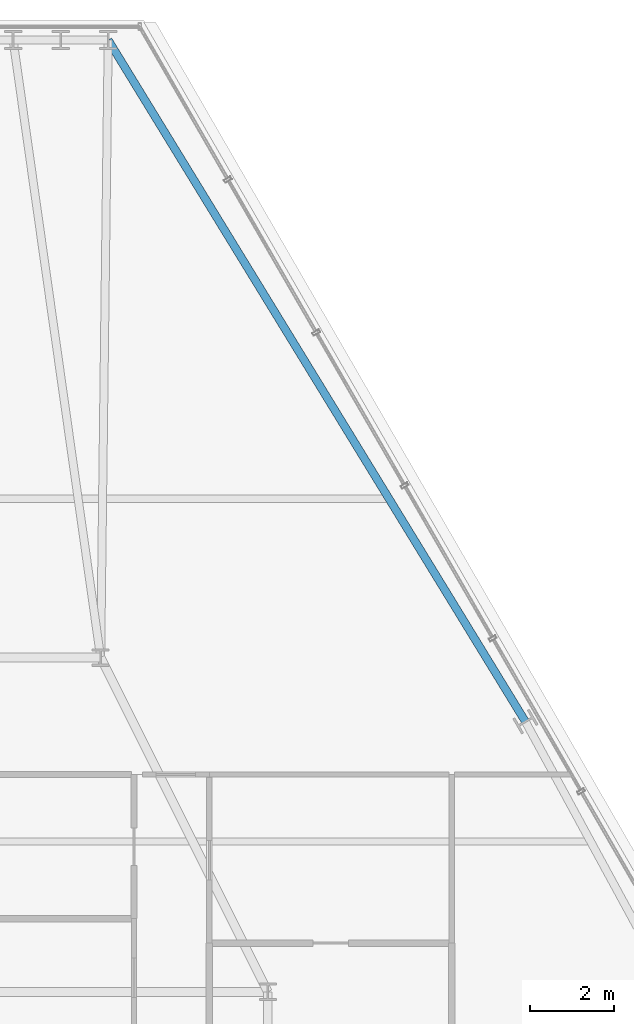
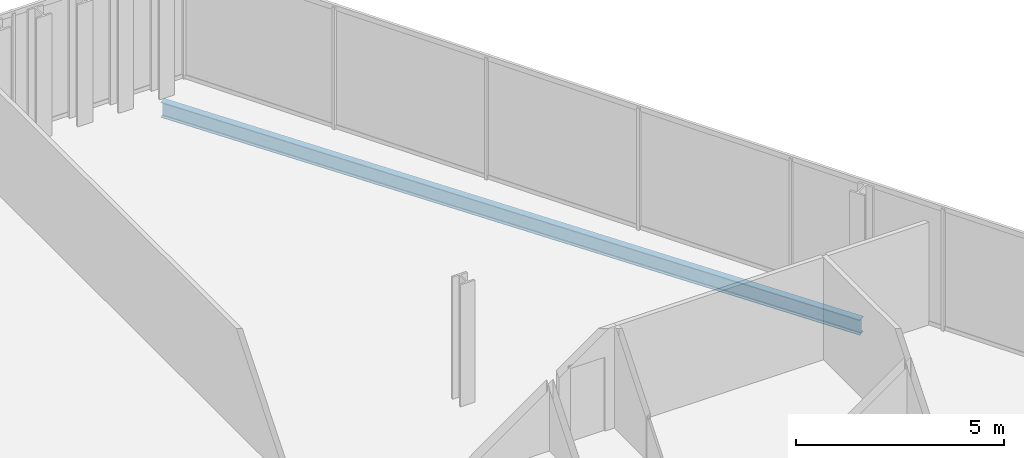
# One storey, part 24 of 33: 1 beam.
"""IFC4 building model written with IfcOpenShell, lengths in metres."""

from ifc_helpers import new_model, si_unit, direction, frame, origin, origin_2d, place, context, subcontext, project, spatial, i_section, extrude, material, material_profile, profile_set, type_object, element, save


model = new_model("IFC4")

# Units and contexts
model_context = context("Model", 3, precision=1e-05, world=origin(), true_north=direction((0.0, 1.0)))
body_context = subcontext(model_context, "Body", "Model", "MODEL_VIEW")
ifc_project = project(units=[si_unit("LENGTHUNIT", "METRE"), si_unit("AREAUNIT", "SQUARE_METRE"), si_unit("VOLUMEUNIT", "CUBIC_METRE"), si_unit("PLANEANGLEUNIT", "RADIAN"), si_unit("MASSUNIT", "GRAM", prefix="KILO")], contexts=[model_context])

# Site, building, storey
site_placement = place(None, origin())
site = spatial("IfcSite", under=ifc_project, at=site_placement, CompositionType="ELEMENT")
building_placement = place(site_placement, origin())
building = spatial("IfcBuilding", under=site, at=building_placement, Name="Ndaravel Arena Tower", CompositionType="ELEMENT")
storey_placement = place(building_placement, frame((0.0, 0.0, 184.0)))
storey = spatial("IfcBuildingStorey", under=building, at=storey_placement, Name="L44", CompositionType="ELEMENT", Elevation=184.0)

# Beam
ifc_material = material(Name="Steel S355", Category="steel")
ifc_material_profile = material_profile(ifc_material, i_section(OverallWidth=0.18994140625, OverallDepth=0.449951171875, WebThickness=0.009521484375, FlangeThickness=0.0146484375, FilletRadius=0.02099609375, at=origin_2d()), Name="IPE 450")
ifc_profile_set = profile_set([ifc_material_profile], Name="Steel S355")
beam_type = type_object("IfcBeamType", Name="BM-SPAN-IPE450", PredefinedType="SPANDREL", material=ifc_profile_set)
beam_placement = place(storey_placement, frame((55.963623046875, 29.666015625, -0.445068359375), z_axis=(-0.522125427863, 0.852868710634, 0.0), x_axis=(-0.852868710634, -0.522125427863, 0.0)))
element("IfcBeam", 1, at=beam_placement, inside=storey, type_object=beam_type, Name="L44 Perimeter Spandrel Beam SP-10", PredefinedType="SPANDREL", context=body_context, shape_type="SweptSolid", body=[
    extrude(i_section(OverallWidth=0.18994140625, OverallDepth=0.449951171875, WebThickness=0.009521484375, FlangeThickness=0.0146484375, FilletRadius=0.02099609375, at=origin_2d()), origin(), (0.0, 0.0, 1.0), 19.119873046875),
])

save(model, "model.ifc")
